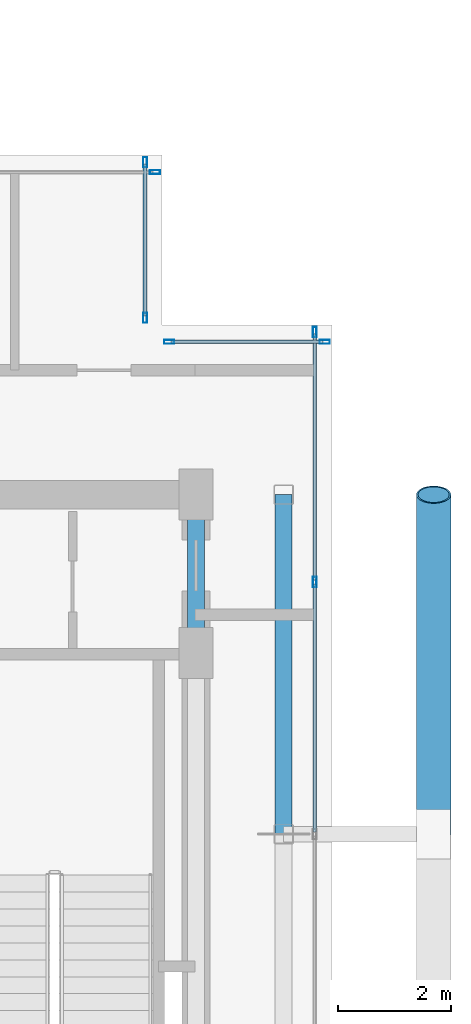
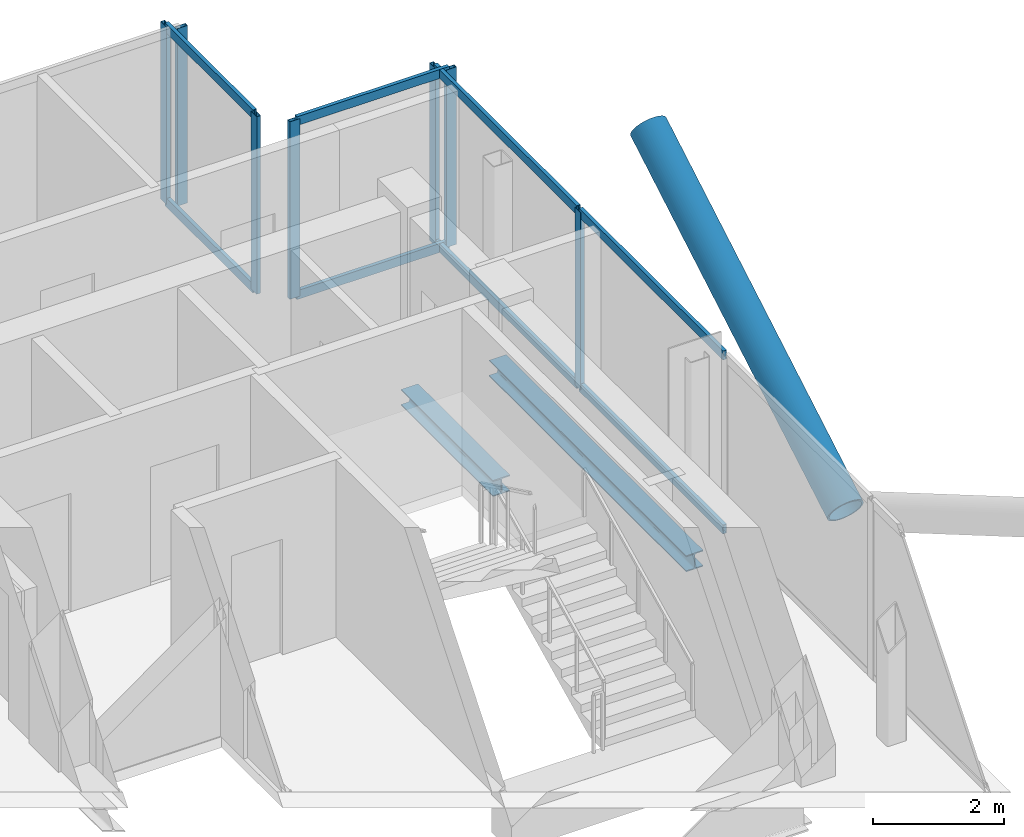
# One storey, part 12 of 18: 16 members, 2 beams, 4 elements without a shape of their own.
"""IFC4 building model written with IfcOpenShell, lengths in metres."""

import ifcopenshell
import ifcopenshell.guid

model = None  # the IFC model being written
_history = None  # IfcOwnerHistory: only IFC2X3 demands one
_inside = {}  # id of a spatial element -> (the spatial element, [elements in it])
_under = {}  # id of a project, library or spatial element -> (it, [spatial elements below it])
_declared = {}  # id of a project -> (the project, [libraries it declares])
_typed = {}  # id of a type object -> (the type object, [elements of that type])
_made_of = {}  # id of a material, layer set ... -> (it, [elements and type objects made of it])


def new_model(schema):
    """Start an empty IFC model of exactly this schema.

    Asked for "IFC4X3", IfcOpenShell would pick the latest addendum, in which some entities
    have other attributes; the version numbers below select the first issue.
    IFC2X3 requires an IfcOwnerHistory on every rooted entity: one is made here for all.
    """
    global model, _history
    if schema == "IFC4X3":
        model = ifcopenshell.file(schema_version=(4, 3, 0, 0))
    else:
        model = ifcopenshell.file(schema=schema)
    _inside.clear()
    _under.clear()
    _declared.clear()
    _typed.clear()
    _made_of.clear()
    _history = None
    if model.schema == "IFC2X3":
        org = make("IfcOrganization", Name="unknown")
        user = make(
            "IfcPersonAndOrganization",
            ThePerson=make("IfcPerson", FamilyName="unknown"),
            TheOrganization=org,
        )
        app = make(
            "IfcApplication",
            ApplicationDeveloper=org,
            Version="unknown",
            ApplicationFullName="unknown",
            ApplicationIdentifier="unknown",
        )
        _history = make(
            "IfcOwnerHistory",
            OwningUser=user,
            OwningApplication=app,
            ChangeAction="ADDED",
            CreationDate=0,
        )
    return model


def make(cls, **values):
    """One entity of the class cls with the attributes given. An attribute that is None is left unset."""
    return model.create_entity(
        cls, **{name: value for name, value in values.items() if value is not None}
    )


def rooted(cls, **values):
    """An entity with a GlobalId (a new one), such as an element, a storey or a relation."""
    return make(cls, GlobalId=ifcopenshell.guid.new(), OwnerHistory=_history, **values)


def si_unit(unit_type, name, prefix=None):
    """IfcSIUnit, for example si_unit("LENGTHUNIT", "METRE", prefix="MILLI")."""
    return make("IfcSIUnit", UnitType=unit_type, Prefix=prefix, Name=name)


def assignment(units):
    """IfcUnitAssignment: the units of a project."""
    return None if units is None else make("IfcUnitAssignment", Units=units)


def point(xyz):
    """IfcCartesianPoint."""
    return None if xyz is None else make("IfcCartesianPoint", Coordinates=xyz)


def direction(xyz):
    """IfcDirection."""
    return None if xyz is None else make("IfcDirection", DirectionRatios=xyz)


def frame(location, z_axis=None, x_axis=None):
    """IfcAxis2Placement3D, a coordinate frame: its origin and axes. An axis left out is left unset."""
    return make(
        "IfcAxis2Placement3D",
        Location=point(location),
        Axis=direction(z_axis),
        RefDirection=direction(x_axis),
    )


def frame_2d(location, x_axis=None):
    """IfcAxis2Placement2D, a coordinate frame in the plane: its origin and x axis."""
    return make(
        "IfcAxis2Placement2D", Location=point(location), RefDirection=direction(x_axis)
    )


def origin():
    """The frame at (0, 0, 0) with its axes left unset."""
    return frame((0.0, 0.0, 0.0))


def origin_2d():
    """The frame at (0, 0) in the plane with its x axis left unset."""
    return frame_2d((0.0, 0.0))


def place(relative_to, where):
    """IfcLocalPlacement: puts the frame where relative to a parent placement (None: the world)."""
    return make(
        "IfcLocalPlacement", PlacementRelTo=relative_to, RelativePlacement=where
    )


def context(
    kind, dimensions, precision=None, world=None, true_north=None, identifier=None
):
    """IfcGeometricRepresentationContext, for example the 3D "Model" context."""
    return make(
        "IfcGeometricRepresentationContext",
        ContextIdentifier=identifier,
        ContextType=kind,
        CoordinateSpaceDimension=dimensions,
        Precision=precision,
        WorldCoordinateSystem=world,
        TrueNorth=true_north,
    )


def subcontext(parent, identifier, kind, view, scale=None):
    """IfcGeometricRepresentationSubContext, for example "Body" below "Model"."""
    return make(
        "IfcGeometricRepresentationSubContext",
        ContextIdentifier=identifier,
        ContextType=kind,
        ParentContext=parent,
        TargetScale=scale,
        TargetView=view,
    )


def project(units=None, contexts=None):
    """IfcProject with its units and contexts."""
    return rooted(
        "IfcProject",
        Name="project",
        RepresentationContexts=contexts,
        UnitsInContext=assignment(units),
    )


def spatial(cls, under=None, at=None, **own):
    """A site, building, storey or space (cls), placed at a placement, below another one or the project."""
    s = rooted(cls, ObjectPlacement=at, **own)
    if under is not None:
        _under.setdefault(under.id(), (under, []))[1].append(s)
    return s


def profile(cls, at=None, kind="AREA", **sizes):
    """A parametric profile (cls). Its sizes go by their IFC names, for example OverallWidth=200.0."""
    return make(cls, ProfileType=kind, Position=at, **sizes)


def hollow_rectangle(**sizes):
    """IfcRectangleHollowProfileDef."""
    return profile("IfcRectangleHollowProfileDef", **sizes)


def hollow_circle(**sizes):
    """IfcCircleHollowProfileDef."""
    return profile("IfcCircleHollowProfileDef", **sizes)


def i_section(**sizes):
    """IfcIShapeProfileDef."""
    return profile("IfcIShapeProfileDef", **sizes)


def extrude(swept, where, along, depth):
    """IfcExtrudedAreaSolid: the profile swept, set in the frame where, extruded along a direction by depth."""
    return make(
        "IfcExtrudedAreaSolid",
        SweptArea=swept,
        Position=where,
        ExtrudedDirection=direction(along),
        Depth=depth,
    )


def shape(context_of_items, identifier, shape_type, items):
    """IfcShapeRepresentation: the items that make up one representation, for example the "Body"."""
    return make(
        "IfcShapeRepresentation",
        ContextOfItems=context_of_items,
        RepresentationIdentifier=identifier,
        RepresentationType=shape_type,
        Items=items,
    )


def material(Name=None, Category=None):
    """IfcMaterial."""
    return make("IfcMaterial", Name=Name, Category=Category)


def layer(
    of_material, thickness, ventilated=None, Name=None, Category=None, Priority=None
):
    """IfcMaterialLayer: one layer of a wall or slab, of a material (None: an air gap)."""
    return make(
        "IfcMaterialLayer",
        Material=of_material,
        LayerThickness=thickness,
        IsVentilated=ventilated,
        Name=Name,
        Category=Category,
        Priority=Priority,
    )


def layer_set(layers, Name=None):
    """IfcMaterialLayerSet."""
    return make("IfcMaterialLayerSet", MaterialLayers=layers, LayerSetName=Name)


def material_profile(
    of_material, cross_section, Name=None, Category=None, Priority=None
):
    """IfcMaterialProfile: a cross section and its material."""
    return make(
        "IfcMaterialProfile",
        Name=Name,
        Material=of_material,
        Profile=cross_section,
        Priority=Priority,
        Category=Category,
    )


def profile_set(profiles, Name=None, composite=None):
    """IfcMaterialProfileSet."""
    return make(
        "IfcMaterialProfileSet",
        Name=Name,
        MaterialProfiles=profiles,
        CompositeProfile=composite,
    )


def made_of(thing, what):
    """Note that an element or type object is made of a material, layer set ...; save() writes the relation."""
    if what is not None:
        _made_of.setdefault(what.id(), (what, []))[1].append(thing)
    return thing


def type_object(cls, material=None, **own):
    """A type object (cls), such as IfcWallType, which elements share."""
    return made_of(rooted(cls, **own), material)


def element(
    cls,
    number,
    at=None,
    inside=None,
    cuts=None,
    type_object=None,
    material=None,
    context=None,
    identifier="Body",
    shape_type=None,
    held_by="IfcProductDefinitionShape",
    body=None,
    shapes=None,
    **own,
):
    """One element of the class cls, such as IfcWall. Its Tag is "e" and its number.

    at: its placement. inside: the storey or other place that contains it. cuts: it is an
    opening in that element (IfcRelVoidsElement). A single representation is given by context,
    identifier, shape_type and body (its items); several are given by shapes. held_by: the class
    of the entity that holds the representations. save() writes the other relations.
    """
    e = rooted(cls, Tag="e%d" % number, ObjectPlacement=at, **own)
    if body is not None:
        shapes = [shape(context, identifier, shape_type, body)]
    if shapes is not None:
        e.Representation = make(held_by, Representations=shapes)
    if inside is not None:
        _inside.setdefault(inside.id(), (inside, []))[1].append(e)
    if cuts is not None:
        rooted(
            "IfcRelVoidsElement", RelatingBuildingElement=cuts, RelatedOpeningElement=e
        )
    if type_object is not None:
        _typed.setdefault(type_object.id(), (type_object, []))[1].append(e)
    return made_of(e, material)


def aggregate(whole, parts):
    """IfcRelAggregates: a whole, such as a stair, and the parts it consists of."""
    return rooted("IfcRelAggregates", RelatingObject=whole, RelatedObjects=parts)


def save(model, path):
    """Write the relations noted so far, then the file.

    IfcRelAggregates (storeys below a building ...), IfcRelContainedInSpatialStructure (elements
    in a storey), IfcRelDefinesByType, IfcRelAssociatesMaterial and IfcRelDeclares: one each for
    every whole, place, type object, material and project.
    """
    for whole, parts in _under.values():
        aggregate(whole, parts)
    for where, things in _inside.values():
        rooted(
            "IfcRelContainedInSpatialStructure",
            RelatedElements=things,
            RelatingStructure=where,
        )
    for kind, things in _typed.values():
        rooted("IfcRelDefinesByType", RelatedObjects=things, RelatingType=kind)
    for what, things in _made_of.values():
        rooted("IfcRelAssociatesMaterial", RelatedObjects=things, RelatingMaterial=what)
    for by, libraries in _declared.values():
        rooted("IfcRelDeclares", RelatingContext=by, RelatedDefinitions=libraries)
    model.write(path)


model = new_model("IFC4")

# Units and contexts
model_context = context("Model", 3, precision=1e-05, world=origin(), true_north=direction((0.0, 1.0)))
body_context = subcontext(model_context, "Body", "Model", "MODEL_VIEW")
ifc_project = project(units=[si_unit("LENGTHUNIT", "METRE"), si_unit("AREAUNIT", "SQUARE_METRE"), si_unit("VOLUMEUNIT", "CUBIC_METRE"), si_unit("PLANEANGLEUNIT", "RADIAN"), si_unit("MASSUNIT", "GRAM", prefix="KILO"), si_unit("THERMODYNAMICTEMPERATUREUNIT", "KELVIN"), si_unit("POWERUNIT", "WATT")], contexts=[model_context])

# Site, building, storey
site_placement = place(None, origin())
site = spatial("IfcSite", under=ifc_project, at=site_placement, CompositionType="ELEMENT")
building_placement = place(site_placement, origin())
building = spatial("IfcBuilding", under=site, at=building_placement, Name="Svarakhadi Broadcast Tower", CompositionType="ELEMENT")
storey_placement = place(building_placement, frame((0.0, 0.0, 274.699951171875)))
storey = spatial("IfcBuildingStorey", under=building, at=storey_placement, Name="L69", CompositionType="ELEMENT", Elevation=274.699951171875)

# Curtain wall, member
ifc_material_1 = material(Name="Anodised Bronze Aluminium AA 6063-T6", Category="aluminium")
ifc_layer = layer(ifc_material_1, 0.179931640625)
ifc_layer_set = layer_set([ifc_layer], Name="Anodised Bronze Aluminium AA 6063-T6")
curtain_wall_type = type_object("IfcCurtainWallType", Name="CW_Sys_05", PredefinedType="NOTDEFINED", material=ifc_layer_set)
curtain_wall_1_placement = place(storey_placement, origin())
curtain_wall_1 = element("IfcCurtainWall", 1, at=curtain_wall_1_placement, inside=storey, type_object=curtain_wall_type, Name="L69 Unitised Facade Curtain Wall 09", PredefinedType="NOTDEFINED")
ifc_material_profile_1 = material_profile(ifc_material_1, hollow_rectangle(XDim=0.070068359375, YDim=0.179931640625, WallThickness=0.005615234375, at=origin_2d()), Name="ALU MULLION 180x70x6")
ifc_profile_set_1 = profile_set([ifc_material_profile_1], Name="Anodised Bronze Aluminium AA 6063-T6")
member_type_1 = type_object("IfcMemberType", Name="CW_Sys_05_Mul", PredefinedType="MULLION", material=ifc_profile_set_1)
member_1_placement = place(storey_placement, frame((32.875, 23.699951171875, 0.0), z_axis=(0.0, 0.0, 1.0), x_axis=(0.0, 1.0, 0.0)))
member_1 = element("IfcMember", 2, at=member_1_placement, type_object=member_type_1, Name="CW-05 mullion 2", PredefinedType="MULLION", context=body_context, shape_type="SweptSolid", body=[
    extrude(hollow_rectangle(XDim=0.070068359375, YDim=0.179931640625, WallThickness=0.005615234375, at=origin_2d()), origin(), (0.0, 0.0, 1.0), 3.300048828125),
])
aggregate(curtain_wall_1, [member_1])

# Curtain wall, members
curtain_wall_2_placement = place(storey_placement, origin())
curtain_wall_2 = element("IfcCurtainWall", 3, at=curtain_wall_2_placement, inside=storey, type_object=curtain_wall_type, Name="L69 Unitised Facade Curtain Wall 10", PredefinedType="NOTDEFINED")
member_2_placement = place(storey_placement, frame((32.699951171875, 23.875, 0.0), z_axis=(0.0, 0.0, 1.0), x_axis=(1.0, 0.0, 0.0)))
member_2 = element("IfcMember", 4, at=member_2_placement, type_object=member_type_1, Name="CW-05 mullion 1", PredefinedType="MULLION", context=body_context, shape_type="SweptSolid", body=[
    extrude(hollow_rectangle(XDim=0.070068359375, YDim=0.179931640625, WallThickness=0.005615234375, at=origin_2d()), origin(), (0.0, 0.0, 1.0), 3.300048828125),
])
member_3_placement = place(storey_placement, frame((32.699951171875, 21.125, 0.0), z_axis=(0.0, 0.0, 1.0), x_axis=(1.0, 0.0, 0.0)))
member_3 = element("IfcMember", 5, at=member_3_placement, type_object=member_type_1, Name="CW-05 mullion 2", PredefinedType="MULLION", context=body_context, shape_type="SweptSolid", body=[
    extrude(hollow_rectangle(XDim=0.070068359375, YDim=0.179931640625, WallThickness=0.005615234375, at=origin_2d()), origin(), (0.0, 0.0, 1.0), 3.300048828125),
])

curtain_wall_3_placement = place(storey_placement, origin())
curtain_wall_3 = element("IfcCurtainWall", 6, at=curtain_wall_3_placement, inside=storey, type_object=curtain_wall_type, Name="L69 Unitised Facade Curtain Wall 11", PredefinedType="NOTDEFINED")
member_4_placement = place(storey_placement, frame((33.125, 20.699951171875, 0.0), z_axis=(0.0, 0.0, 1.0), x_axis=(0.0, 1.0, 0.0)))
member_4 = element("IfcMember", 7, at=member_4_placement, type_object=member_type_1, Name="CW-05 mullion 1", PredefinedType="MULLION", context=body_context, shape_type="SweptSolid", body=[
    extrude(hollow_rectangle(XDim=0.070068359375, YDim=0.179931640625, WallThickness=0.005615234375, at=origin_2d()), origin(), (0.0, 0.0, 1.0), 3.300048828125),
])
member_5_placement = place(storey_placement, frame((35.875, 20.699951171875, 0.0), z_axis=(0.0, 0.0, 1.0), x_axis=(0.0, 1.0, 0.0)))
member_5 = element("IfcMember", 8, at=member_5_placement, type_object=member_type_1, Name="CW-05 mullion 2", PredefinedType="MULLION", context=body_context, shape_type="SweptSolid", body=[
    extrude(hollow_rectangle(XDim=0.070068359375, YDim=0.179931640625, WallThickness=0.005615234375, at=origin_2d()), origin(), (0.0, 0.0, 1.0), 3.300048828125),
])

curtain_wall_4_placement = place(storey_placement, origin())
curtain_wall_4 = element("IfcCurtainWall", 9, at=curtain_wall_4_placement, inside=storey, type_object=curtain_wall_type, Name="L69 Unitised Facade Curtain Wall 12", PredefinedType="NOTDEFINED")
member_6_placement = place(storey_placement, frame((35.699951171875, 20.875, 0.0), z_axis=(0.0, 0.0, 1.0), x_axis=(1.0, 0.0, 0.0)))
member_6 = element("IfcMember", 10, at=member_6_placement, type_object=member_type_1, Name="CW-05 mullion 1", PredefinedType="MULLION", context=body_context, shape_type="SweptSolid", body=[
    extrude(hollow_rectangle(XDim=0.070068359375, YDim=0.179931640625, WallThickness=0.005615234375, at=origin_2d()), origin(), (0.0, 0.0, 1.0), 3.300048828125),
])
member_7_placement = place(storey_placement, frame((35.699951171875, 16.455078125, 0.0), z_axis=(0.0, 0.0, 1.0), x_axis=(1.0, 0.0, 0.0)))
member_7 = element("IfcMember", 11, at=member_7_placement, type_object=member_type_1, Name="CW-05 mullion 2", PredefinedType="MULLION", context=body_context, shape_type="SweptSolid", body=[
    extrude(hollow_rectangle(XDim=0.070068359375, YDim=0.179931640625, WallThickness=0.005615234375, at=origin_2d()), origin(), (0.0, 0.0, 1.0), 3.300048828125),
])

# Member
ifc_material_profile_2 = material_profile(ifc_material_1, hollow_rectangle(XDim=0.06494140625, YDim=0.1650390625, WallThickness=0.0048828125, at=origin_2d()), Name="ALU TRANSOM 165x65x5")
ifc_profile_set_2 = profile_set([ifc_material_profile_2], Name="Anodised Bronze Aluminium AA 6063-T6")
member_type_2 = type_object("IfcMemberType", Name="CW_Sys_05_Trn", PredefinedType="USERDEFINED", material=ifc_profile_set_2)
member_8_placement = place(storey_placement, frame((32.699951171875, 23.840087890625, 0.032470703125), z_axis=(0.0, -1.0, 0.0), x_axis=(1.0, 0.0, 0.0)))
member_8 = element("IfcMember", 12, at=member_8_placement, type_object=member_type_2, Name="CW-05 transom 1.1", ObjectType="TRANSOM", PredefinedType="USERDEFINED", context=body_context, shape_type="SweptSolid", body=[
    extrude(hollow_rectangle(XDim=0.06494140625, YDim=0.1650390625, WallThickness=0.0048828125, at=origin_2d()), origin(), (0.0, 0.0, 1.0), 2.68017578125),
])

member_9_placement = place(storey_placement, frame((32.699951171875, 23.840087890625, 3.267578125), z_axis=(0.0, -1.0, 0.0), x_axis=(1.0, 0.0, 0.0)))
member_9 = element("IfcMember", 13, at=member_9_placement, type_object=member_type_2, Name="CW-05 transom 1.2", ObjectType="TRANSOM", PredefinedType="USERDEFINED", context=body_context, shape_type="SweptSolid", body=[
    extrude(hollow_rectangle(XDim=0.06494140625, YDim=0.1650390625, WallThickness=0.0048828125, at=origin_2d()), origin(), (0.0, 0.0, 1.0), 2.68017578125),
])

aggregate(curtain_wall_2, [member_2, member_3, member_8, member_9])

member_10_placement = place(storey_placement, frame((33.159912109375, 20.699951171875, 0.032470703125), z_axis=(1.0, 0.0, 0.0), x_axis=(0.0, 1.0, 0.0)))
member_10 = element("IfcMember", 14, at=member_10_placement, type_object=member_type_2, Name="CW-05 transom 1.1", ObjectType="TRANSOM", PredefinedType="USERDEFINED", context=body_context, shape_type="SweptSolid", body=[
    extrude(hollow_rectangle(XDim=0.06494140625, YDim=0.1650390625, WallThickness=0.0048828125, at=origin_2d()), origin(), (0.0, 0.0, 1.0), 2.68017578125),
])

member_11_placement = place(storey_placement, frame((33.159912109375, 20.699951171875, 3.267578125), z_axis=(1.0, 0.0, 0.0), x_axis=(0.0, 1.0, 0.0)))
member_11 = element("IfcMember", 15, at=member_11_placement, type_object=member_type_2, Name="CW-05 transom 1.2", ObjectType="TRANSOM", PredefinedType="USERDEFINED", context=body_context, shape_type="SweptSolid", body=[
    extrude(hollow_rectangle(XDim=0.06494140625, YDim=0.1650390625, WallThickness=0.0048828125, at=origin_2d()), origin(), (0.0, 0.0, 1.0), 2.68017578125),
])

aggregate(curtain_wall_3, [member_4, member_5, member_10, member_11])

member_12_placement = place(storey_placement, frame((35.699951171875, 20.840087890625, 0.032470703125), z_axis=(0.0, -1.0, 0.0), x_axis=(1.0, 0.0, 0.0)))
member_12 = element("IfcMember", 16, at=member_12_placement, type_object=member_type_2, Name="CW-05 transom 1.1", ObjectType="TRANSOM", PredefinedType="USERDEFINED", context=body_context, shape_type="SweptSolid", body=[
    extrude(hollow_rectangle(XDim=0.06494140625, YDim=0.1650390625, WallThickness=0.0048828125, at=origin_2d()), origin(), (0.0, 0.0, 1.0), 4.35009765625),
])

member_13_placement = place(storey_placement, frame((35.699951171875, 20.840087890625, 3.267578125), z_axis=(0.0, -1.0, 0.0), x_axis=(1.0, 0.0, 0.0)))
member_13 = element("IfcMember", 17, at=member_13_placement, type_object=member_type_2, Name="CW-05 transom 1.2", ObjectType="TRANSOM", PredefinedType="USERDEFINED", context=body_context, shape_type="SweptSolid", body=[
    extrude(hollow_rectangle(XDim=0.06494140625, YDim=0.1650390625, WallThickness=0.0048828125, at=origin_2d()), origin(), (0.0, 0.0, 1.0), 4.35009765625),
])

member_14_placement = place(storey_placement, frame((35.699951171875, 16.419921875, 0.032470703125), z_axis=(0.0, -1.0, 0.0), x_axis=(1.0, 0.0, 0.0)))
member_14 = element("IfcMember", 18, at=member_14_placement, type_object=member_type_2, Name="CW-05 transom 2.1", ObjectType="TRANSOM", PredefinedType="USERDEFINED", context=body_context, shape_type="SweptSolid", body=[
    extrude(hollow_rectangle(XDim=0.06494140625, YDim=0.1650390625, WallThickness=0.0048828125, at=origin_2d()), origin(), (0.0, 0.0, 1.0), 4.385009765625),
])

member_15_placement = place(storey_placement, frame((35.699951171875, 16.419921875, 3.267578125), z_axis=(0.0, -1.0, 0.0), x_axis=(1.0, 0.0, 0.0)))
member_15 = element("IfcMember", 19, at=member_15_placement, type_object=member_type_2, Name="CW-05 transom 2.2", ObjectType="TRANSOM", PredefinedType="USERDEFINED", context=body_context, shape_type="SweptSolid", body=[
    extrude(hollow_rectangle(XDim=0.06494140625, YDim=0.1650390625, WallThickness=0.0048828125, at=origin_2d()), origin(), (0.0, 0.0, 1.0), 4.385009765625),
])

aggregate(curtain_wall_4, [member_6, member_7, member_12, member_13, member_14, member_15])

ifc_material_2 = material(Name="Steel S460ML (IS 2062 E450BR)", Category="steel")
ifc_material_profile_3 = material_profile(ifc_material_2, hollow_circle(Radius=0.304931640625, WallThickness=0.030029296875, at=origin_2d()), Name="CHS 610x30")
ifc_profile_set_3 = profile_set([ifc_material_profile_3], Name="Steel S460ML (IS 2062 E450BR)")
member_type_3 = type_object("IfcMemberType", Name="Exo_Brace_CHS610", PredefinedType="BRACE", material=ifc_profile_set_3)
member_16_placement = place(storey_placement, frame((37.800048828125, 12.0, -0.33642578125), z_axis=(0.0, 0.863778900898, 0.503871025524), x_axis=(-1.0, 0.0, 0.0)))
element("IfcMember", 20, at=member_16_placement, inside=storey, type_object=member_type_3, Name="L69 Exposed Bronze Exoskeleton Diagonal E05", PredefinedType="BRACE", context=body_context, shape_type="SweptSolid", body=[
    extrude(hollow_circle(Radius=0.304931640625, WallThickness=0.030029296875, at=origin_2d()), origin(), (0.0, 0.0, 1.0), 6.9462890625),
])

# Beams
ifc_material_3 = material(Name="Steel S355J2 (IS 2062 E350C)", Category="steel")
ifc_material_profile_4 = material_profile(ifc_material_3, i_section(OverallWidth=0.300048828125, OverallDepth=0.300048828125, WebThickness=0.010986328125, FlangeThickness=0.01904296875, FilletRadius=0.027099609375, at=origin_2d()), Name="WPB 300x300x117")
ifc_profile_set_4 = profile_set([ifc_material_profile_4], Name="Steel S355J2 (IS 2062 E350C)")
beam_type = type_object("IfcBeamType", Name="Girder_WPB300", PredefinedType="USERDEFINED", material=ifc_profile_set_4)
beam_1_placement = place(storey_placement, frame((33.60009765625, 15.199951171875, -0.349853515625), z_axis=(0.0, 1.0, 0.0), x_axis=(-1.0, 0.0, 0.0)))
element("IfcBeam", 21, at=beam_1_placement, inside=storey, type_object=beam_type, Name="L69 Primary N-S Girder G044", ObjectType="GIRDER", PredefinedType="USERDEFINED", context=body_context, shape_type="SweptSolid", body=[
    extrude(i_section(OverallWidth=0.300048828125, OverallDepth=0.300048828125, WebThickness=0.010986328125, FlangeThickness=0.01904296875, FilletRadius=0.027099609375, at=origin_2d()), origin(), (0.0, 0.0, 1.0), 2.800048828125),
])
beam_2_placement = place(storey_placement, frame((35.14990234375, 12.0, -0.349853515625), z_axis=(0.0, 1.0, 0.0), x_axis=(-1.0, 0.0, 0.0)))
element("IfcBeam", 22, at=beam_2_placement, inside=storey, type_object=beam_type, Name="L69 Primary N-S Girder G046", ObjectType="GIRDER", PredefinedType="USERDEFINED", context=body_context, shape_type="SweptSolid", body=[
    extrude(i_section(OverallWidth=0.300048828125, OverallDepth=0.300048828125, WebThickness=0.010986328125, FlangeThickness=0.01904296875, FilletRadius=0.027099609375, at=origin_2d()), origin(), (0.0, 0.0, 1.0), 6.0),
])

save(model, "model.ifc")
